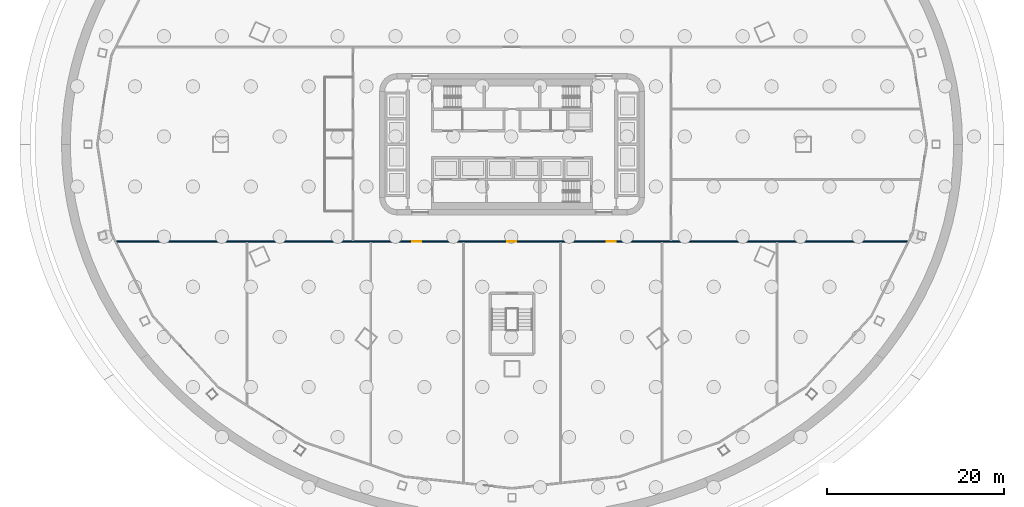
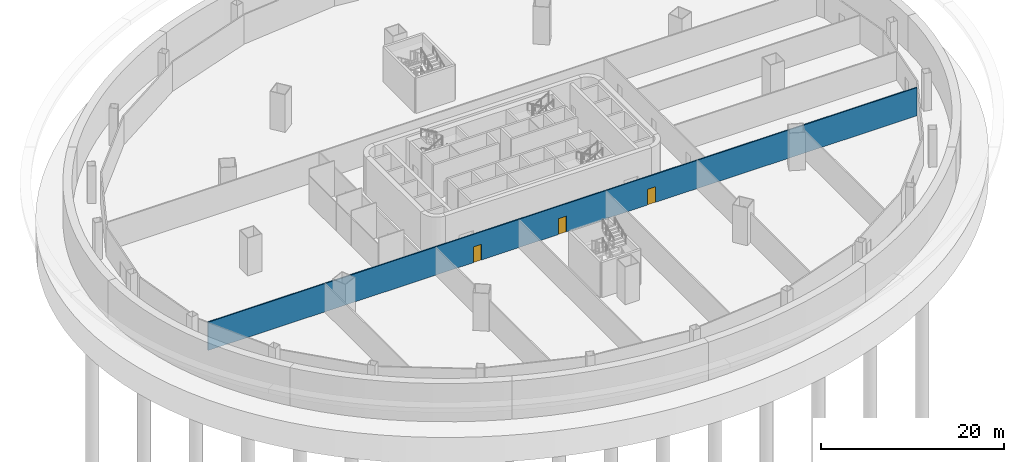
# One storey, part 7 of 19: 3 doors, 1 wall, 3 openings.
"""IFC4 building model written with IfcOpenShell, lengths in metres."""

from ifc_helpers import new_model, si_unit, direction, frame, frame_2d, origin, place, context, subcontext, project, spatial, rectangle, extrude, material, layer, layer_set, type_object, element, fill, save


model = new_model("IFC4")

# Units and contexts
model_context = context("Model", 3, precision=1e-05, world=origin(), true_north=direction((0.0, 1.0)))
body_context = subcontext(model_context, "Body", "Model", "MODEL_VIEW")
ifc_project = project(units=[si_unit("LENGTHUNIT", "METRE"), si_unit("AREAUNIT", "SQUARE_METRE"), si_unit("VOLUMEUNIT", "CUBIC_METRE"), si_unit("PLANEANGLEUNIT", "RADIAN"), si_unit("MASSUNIT", "GRAM", prefix="KILO")], contexts=[model_context])

# Site, building, storey
site_placement = place(None, origin())
site = spatial("IfcSite", under=ifc_project, at=site_placement, CompositionType="ELEMENT")
building_placement = place(site_placement, origin())
building = spatial("IfcBuilding", under=site, at=building_placement, Name="Sahrelin Media Tower", CompositionType="ELEMENT")
storey_placement = place(building_placement, frame((0.0, 0.0, -5.0)))
storey = spatial("IfcBuildingStorey", under=building, at=storey_placement, Name="B1", CompositionType="ELEMENT", Elevation=-5.0)

# Wall, openings, doors
ifc_material_1 = material(Name="Fire-rated gypsum board partition")
ifc_layer = layer(ifc_material_1, 0.14990234375)
ifc_layer_set = layer_set([ifc_layer], Name="Fire-rated partition 150")
wall_type = type_object("IfcWallType", Name="Fire-rated partition 150", PredefinedType="PARTITIONING", material=ifc_layer_set)
wall_placement = place(storey_placement, frame((-44.77001953125, -11.0, 0.0), z_axis=(0.0, 0.0, 1.0), x_axis=(1.0, 0.0, 0.0)))
wall = element("IfcWall", 1, at=wall_placement, inside=storey, type_object=wall_type, Name="Wall", PredefinedType="PARTITIONING", context=body_context, shape_type="SweptSolid", body=[
    extrude(rectangle(XDim=89.5400390625, YDim=0.14990234375, at=frame_2d((44.77001953125, 0.0))), origin(), (0.0, 0.0, 1.0), 3.768310546875),
])
opening_1_placement = place(wall_placement, frame((33.5, 0.0, 0.0)))
opening_1 = element("IfcOpeningElement", 2, at=opening_1_placement, cuts=wall, Name="Opening B1-D23", PredefinedType="OPENING", context=body_context, shape_type="SweptSolid", body=[
    extrude(rectangle(XDim=1.0, YDim=2.10009765625, at=frame_2d((0.5, 1.050048828125))), frame((0.0, 0.074951171875, 0.0), z_axis=(0.0, -1.0, 0.0), x_axis=(1.0, 0.0, 0.0)), (0.0, 0.0, 1.0), 0.14990234375),
])
opening_2_placement = place(wall_placement, frame((44.25, 0.0, 0.0)))
opening_2 = element("IfcOpeningElement", 3, at=opening_2_placement, cuts=wall, Name="Opening B1-D24", PredefinedType="OPENING", context=body_context, shape_type="SweptSolid", body=[
    extrude(rectangle(XDim=1.0, YDim=2.10009765625, at=frame_2d((0.5, 1.050048828125))), frame((0.0, 0.074951171875, 0.0), z_axis=(0.0, -1.0, 0.0), x_axis=(1.0, 0.0, 0.0)), (0.0, 0.0, 1.0), 0.14990234375),
])
opening_3_placement = place(wall_placement, frame((55.5, 0.0, 0.0)))
opening_3 = element("IfcOpeningElement", 4, at=opening_3_placement, cuts=wall, Name="Opening B1-D26", PredefinedType="OPENING", context=body_context, shape_type="SweptSolid", body=[
    extrude(rectangle(XDim=1.0, YDim=2.10009765625, at=frame_2d((0.5, 1.050048828125))), frame((0.0, 0.074951171875, 0.0), z_axis=(0.0, -1.0, 0.0), x_axis=(1.0, 0.0, 0.0)), (0.0, 0.0, 1.0), 0.14990234375),
])
ifc_material_2 = material(Name="Steel fire door leaf", Category="steel")
door_type_1 = type_object("IfcDoorType", Name="Fire door 1000 x 2100 EI 60", OperationType="NOTDEFINED", PredefinedType="DOOR", material=ifc_material_2)
door_1_placement = place(opening_1_placement, origin())
door_1 = element("IfcDoor", 5, at=door_1_placement, inside=storey, type_object=door_type_1, Name="Fire door", OperationType="SINGLE_SWING_LEFT", OverallHeight=2.10009765625, OverallWidth=1.0, PredefinedType="DOOR", context=body_context, shape_type="SweptSolid", body=[
    extrude(rectangle(XDim=1.0, YDim=2.10009765625, at=frame_2d((0.5, 1.050048828125))), frame((0.0, 0.02490234375, 0.0), z_axis=(0.0, -1.0, 0.0), x_axis=(1.0, 0.0, 0.0)), (0.0, 0.0, 1.0), 0.050048828125),
])
fill(opening_1, door_1)
door_2_placement = place(opening_3_placement, origin())
door_2 = element("IfcDoor", 6, at=door_2_placement, inside=storey, type_object=door_type_1, Name="Fire door", OperationType="SINGLE_SWING_RIGHT", OverallHeight=2.10009765625, OverallWidth=1.0, PredefinedType="DOOR", context=body_context, shape_type="SweptSolid", body=[
    extrude(rectangle(XDim=1.0, YDim=2.10009765625, at=frame_2d((0.5, 1.050048828125))), frame((0.0, 0.02490234375, 0.0), z_axis=(0.0, -1.0, 0.0), x_axis=(1.0, 0.0, 0.0)), (0.0, 0.0, 1.0), 0.050048828125),
])
fill(opening_3, door_2)
door_type_2 = type_object("IfcDoorType", Name="Lobby door 1000 x 2100 EI 60", OperationType="NOTDEFINED", PredefinedType="DOOR", material=ifc_material_2)
door_3_placement = place(opening_2_placement, origin())
door_3 = element("IfcDoor", 7, at=door_3_placement, inside=storey, type_object=door_type_2, Name="Lobby door", OperationType="SINGLE_SWING_LEFT", OverallHeight=2.10009765625, OverallWidth=1.0, PredefinedType="DOOR", context=body_context, shape_type="SweptSolid", body=[
    extrude(rectangle(XDim=1.0, YDim=2.10009765625, at=frame_2d((0.5, 1.050048828125))), frame((0.0, 0.02490234375, 0.0), z_axis=(0.0, -1.0, 0.0), x_axis=(1.0, 0.0, 0.0)), (0.0, 0.0, 1.0), 0.050048828125),
])
fill(opening_2, door_3)

save(model, "model.ifc")
